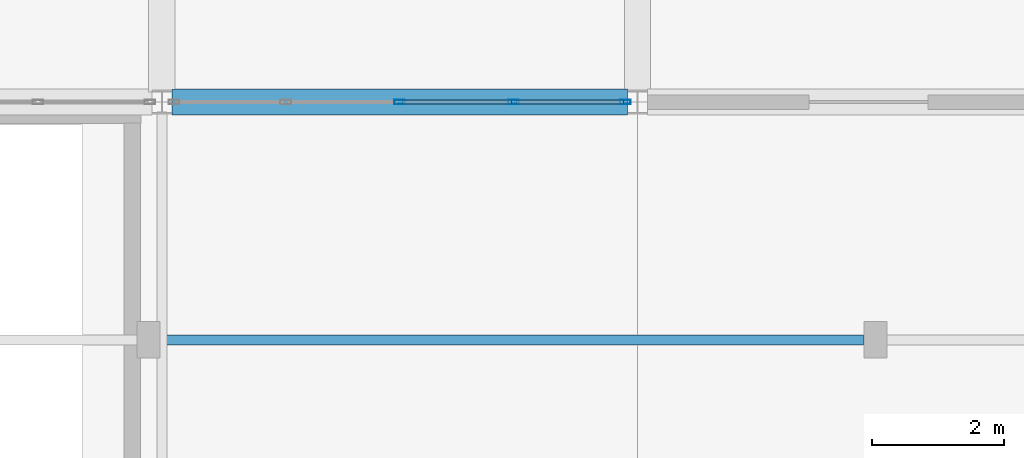
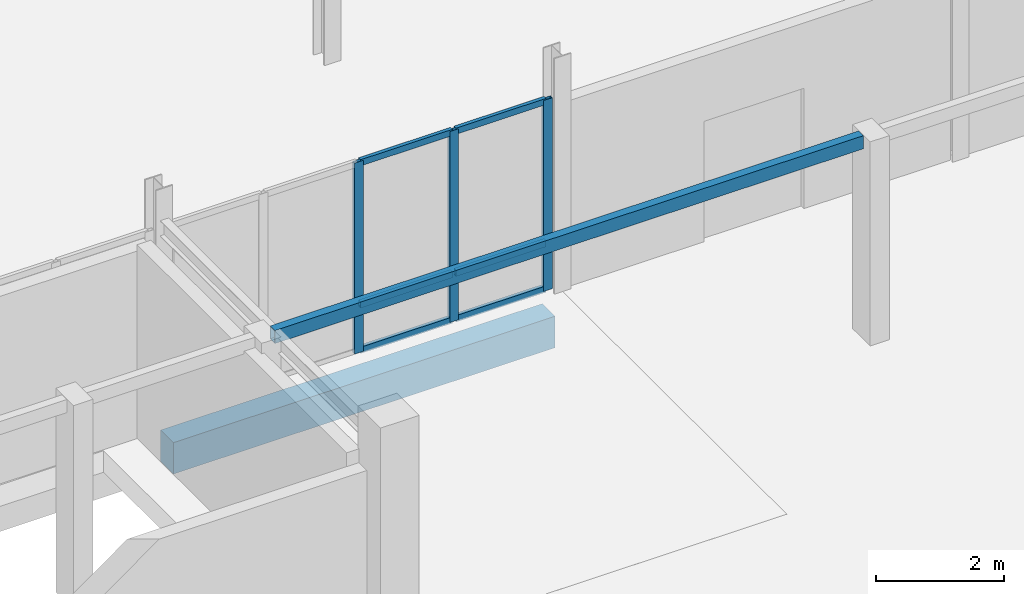
# One storey, part 33 of 139: 9 members, 2 beams, 1 element without a shape of its own.
"""IFC4 building model written with IfcOpenShell, lengths in metres."""

from ifc_helpers import new_model, si_unit, direction, frame, origin, origin_2d, place, context, subcontext, project, spatial, rectangle, hollow_rectangle, extrude, material, material_profile, profile_set, type_object, element, aggregate, save


model = new_model("IFC4")

# Units and contexts
model_context = context("Model", 3, precision=1e-05, world=origin(), true_north=direction((0.0, 1.0)))
body_context = subcontext(model_context, "Body", "Model", "MODEL_VIEW")
ifc_project = project(units=[si_unit("LENGTHUNIT", "METRE"), si_unit("AREAUNIT", "SQUARE_METRE"), si_unit("VOLUMEUNIT", "CUBIC_METRE"), si_unit("PLANEANGLEUNIT", "RADIAN"), si_unit("MASSUNIT", "GRAM", prefix="KILO")], contexts=[model_context])

# Site, building, storey
site_placement = place(None, origin())
site = spatial("IfcSite", under=ifc_project, at=site_placement, CompositionType="ELEMENT")
building_placement = place(site_placement, origin())
building = spatial("IfcBuilding", under=site, at=building_placement, Name="Suanplinth Sawtooth Commons", CompositionType="ELEMENT")
storey_placement = place(building_placement, origin())
storey = spatial("IfcBuildingStorey", under=building, at=storey_placement, Name="L00", CompositionType="ELEMENT", Elevation=0.0)

# Beams
ifc_material_1 = material(Name="Precast concrete C40/50", Category="concrete")
ifc_material_profile_1 = material_profile(ifc_material_1, rectangle(XDim=0.39990234375, YDim=0.60009765625, at=origin_2d()), Name="PC-GDR 400x600")
ifc_profile_set_1 = profile_set([ifc_material_profile_1], Name="Precast concrete C40/50")
beam_type_1 = type_object("IfcBeamType", Name="B-05", PredefinedType="USERDEFINED", material=ifc_profile_set_1)
beam_1_placement = place(storey_placement, frame((36.14990234375, 50.39990234375, -0.7099609375), z_axis=(1.0, 0.0, 0.0), x_axis=(0.0, 1.0, 0.0)))
element("IfcBeam", 1, at=beam_1_placement, inside=storey, type_object=beam_type_1, Name="BMX-L00-MKT-5-7", ObjectType="GIRDER", PredefinedType="USERDEFINED", context=body_context, shape_type="SweptSolid", body=[
    extrude(rectangle(XDim=0.39990234375, YDim=0.60009765625, at=origin_2d()), origin(), (0.0, 0.0, 1.0), 6.900146484375),
])
ifc_material_2 = material(Name="Steel S355JR", Category="steel")
ifc_material_profile_2 = material_profile(ifc_material_2, hollow_rectangle(XDim=0.14990234375, YDim=0.25, WallThickness=0.010009765625, at=origin_2d()), Name="RHS 250x150x10")
ifc_profile_set_2 = profile_set([ifc_material_profile_2], Name="Steel S355JR")
beam_type_2 = type_object("IfcBeamType", Name="B-18", PredefinedType="BEAM", material=ifc_profile_set_2)
beam_2_placement = place(storey_placement, frame((35.97998046875, 46.800048828125, 3.77490234375), z_axis=(1.0, 0.0, 0.0), x_axis=(0.0, 1.0, 0.0)))
element("IfcBeam", 2, at=beam_2_placement, inside=storey, type_object=beam_type_2, Name="Market Porch Edge Beam 4", PredefinedType="BEAM", context=body_context, shape_type="SweptSolid", body=[
    extrude(hollow_rectangle(XDim=0.14990234375, YDim=0.25, WallThickness=0.010009765625, at=origin_2d()), origin(), (0.0, 0.0, 1.0), 10.64013671875),
])

# Curtain wall, members
ifc_material_3 = material(Name="Anodized aluminium and low-E glazing", Category="aluminium")
curtain_wall_type = type_object("IfcCurtainWallType", Name="CW-02", PredefinedType="USERDEFINED", material=ifc_material_3)
curtain_wall_placement = place(storey_placement, origin())
curtain_wall = element("IfcCurtainWall", 3, at=curtain_wall_placement, inside=storey, type_object=curtain_wall_type, Name="Curtain Wall CW-L00-MKT-S-5", ObjectType="CURTAIN WALL", PredefinedType="USERDEFINED")
ifc_material_4 = material(Name="Anodized aluminium 6063-T6", Category="aluminium")
ifc_material_profile_3 = material_profile(ifc_material_4, hollow_rectangle(XDim=0.06494140625, YDim=0.159912109375, WallThickness=0.00390625, at=origin_2d()), Name="ALU-MUL 65x160")
ifc_profile_set_3 = profile_set([ifc_material_profile_3], Name="Anodized aluminium 6063-T6")
member_type_1 = type_object("IfcMemberType", Name="M-13", PredefinedType="MULLION", material=ifc_profile_set_3)
member_1_placement = place(storey_placement, frame((39.60009765625, 50.39990234375, 0.0), z_axis=(0.0, 0.0, 1.0), x_axis=(0.0, 1.0, 0.0)))
member_1 = element("IfcMember", 4, at=member_1_placement, type_object=member_type_1, Name="CW-02 mullion 3", PredefinedType="MULLION", context=body_context, shape_type="SweptSolid", body=[
    extrude(hollow_rectangle(XDim=0.06494140625, YDim=0.159912109375, WallThickness=0.00390625, at=origin_2d()), origin(), (0.0, 0.0, 1.0), 3.64990234375),
])
member_2_placement = place(storey_placement, frame((41.324951171875, 50.39990234375, 0.0), z_axis=(0.0, 0.0, 1.0), x_axis=(0.0, 1.0, 0.0)))
member_2 = element("IfcMember", 5, at=member_2_placement, type_object=member_type_1, Name="CW-02 mullion 4", PredefinedType="MULLION", context=body_context, shape_type="SweptSolid", body=[
    extrude(hollow_rectangle(XDim=0.06494140625, YDim=0.159912109375, WallThickness=0.00390625, at=origin_2d()), origin(), (0.0, 0.0, 1.0), 3.64990234375),
])
member_3_placement = place(storey_placement, frame((43.017578125, 50.39990234375, 0.0), z_axis=(0.0, 0.0, 1.0), x_axis=(0.0, 1.0, 0.0)))
member_3 = element("IfcMember", 6, at=member_3_placement, type_object=member_type_1, Name="CW-02 mullion 5", PredefinedType="MULLION", context=body_context, shape_type="SweptSolid", body=[
    extrude(hollow_rectangle(XDim=0.06494140625, YDim=0.159912109375, WallThickness=0.00390625, at=origin_2d()), origin(), (0.0, 0.0, 1.0), 3.64990234375),
])
ifc_material_profile_4 = material_profile(ifc_material_4, hollow_rectangle(XDim=0.06494140625, YDim=0.1201171875, WallThickness=0.00390625, at=origin_2d()), Name="ALU-TRN 65x120")
ifc_profile_set_4 = profile_set([ifc_material_profile_4], Name="Anodized aluminium 6063-T6")
member_type_2 = type_object("IfcMemberType", Name="M-15", PredefinedType="USERDEFINED", material=ifc_profile_set_4)
member_4_placement = place(storey_placement, frame((39.632568359375, 50.39990234375, 0.032470703125), z_axis=(1.0, 0.0, 0.0), x_axis=(0.0, 1.0, 0.0)))
member_4 = element("IfcMember", 7, at=member_4_placement, type_object=member_type_2, Name="CW-02 transom 3.1", ObjectType="TRANSOM", PredefinedType="USERDEFINED", context=body_context, shape_type="SweptSolid", body=[
    extrude(hollow_rectangle(XDim=0.06494140625, YDim=0.1201171875, WallThickness=0.00390625, at=origin_2d()), origin(), (0.0, 0.0, 1.0), 1.659912109375),
])
member_5_placement = place(storey_placement, frame((39.632568359375, 50.39990234375, 0.89990234375), z_axis=(1.0, 0.0, 0.0), x_axis=(0.0, 1.0, 0.0)))
member_5 = element("IfcMember", 8, at=member_5_placement, type_object=member_type_2, Name="CW-02 transom 3.2", ObjectType="TRANSOM", PredefinedType="USERDEFINED", context=body_context, shape_type="SweptSolid", body=[
    extrude(hollow_rectangle(XDim=0.06494140625, YDim=0.1201171875, WallThickness=0.00390625, at=origin_2d()), origin(), (0.0, 0.0, 1.0), 1.659912109375),
])
member_6_placement = place(storey_placement, frame((39.632568359375, 50.39990234375, 3.617431640625), z_axis=(1.0, 0.0, 0.0), x_axis=(0.0, 1.0, 0.0)))
member_6 = element("IfcMember", 9, at=member_6_placement, type_object=member_type_2, Name="CW-02 transom 3.3", ObjectType="TRANSOM", PredefinedType="USERDEFINED", context=body_context, shape_type="SweptSolid", body=[
    extrude(hollow_rectangle(XDim=0.06494140625, YDim=0.1201171875, WallThickness=0.00390625, at=origin_2d()), origin(), (0.0, 0.0, 1.0), 1.659912109375),
])
member_7_placement = place(storey_placement, frame((41.357421875, 50.39990234375, 0.032470703125), z_axis=(1.0, 0.0, 0.0), x_axis=(0.0, 1.0, 0.0)))
member_7 = element("IfcMember", 10, at=member_7_placement, type_object=member_type_2, Name="CW-02 transom 4.1", ObjectType="TRANSOM", PredefinedType="USERDEFINED", context=body_context, shape_type="SweptSolid", body=[
    extrude(hollow_rectangle(XDim=0.06494140625, YDim=0.1201171875, WallThickness=0.00390625, at=origin_2d()), origin(), (0.0, 0.0, 1.0), 1.627685546875),
])
member_8_placement = place(storey_placement, frame((41.357421875, 50.39990234375, 0.89990234375), z_axis=(1.0, 0.0, 0.0), x_axis=(0.0, 1.0, 0.0)))
member_8 = element("IfcMember", 11, at=member_8_placement, type_object=member_type_2, Name="CW-02 transom 4.2", ObjectType="TRANSOM", PredefinedType="USERDEFINED", context=body_context, shape_type="SweptSolid", body=[
    extrude(hollow_rectangle(XDim=0.06494140625, YDim=0.1201171875, WallThickness=0.00390625, at=origin_2d()), origin(), (0.0, 0.0, 1.0), 1.627685546875),
])
member_9_placement = place(storey_placement, frame((41.357421875, 50.39990234375, 3.617431640625), z_axis=(1.0, 0.0, 0.0), x_axis=(0.0, 1.0, 0.0)))
member_9 = element("IfcMember", 12, at=member_9_placement, type_object=member_type_2, Name="CW-02 transom 4.3", ObjectType="TRANSOM", PredefinedType="USERDEFINED", context=body_context, shape_type="SweptSolid", body=[
    extrude(hollow_rectangle(XDim=0.06494140625, YDim=0.1201171875, WallThickness=0.00390625, at=origin_2d()), origin(), (0.0, 0.0, 1.0), 1.627685546875),
])
aggregate(curtain_wall, [member_1, member_2, member_3, member_4, member_5, member_6, member_7, member_8, member_9])

save(model, "model.ifc")
